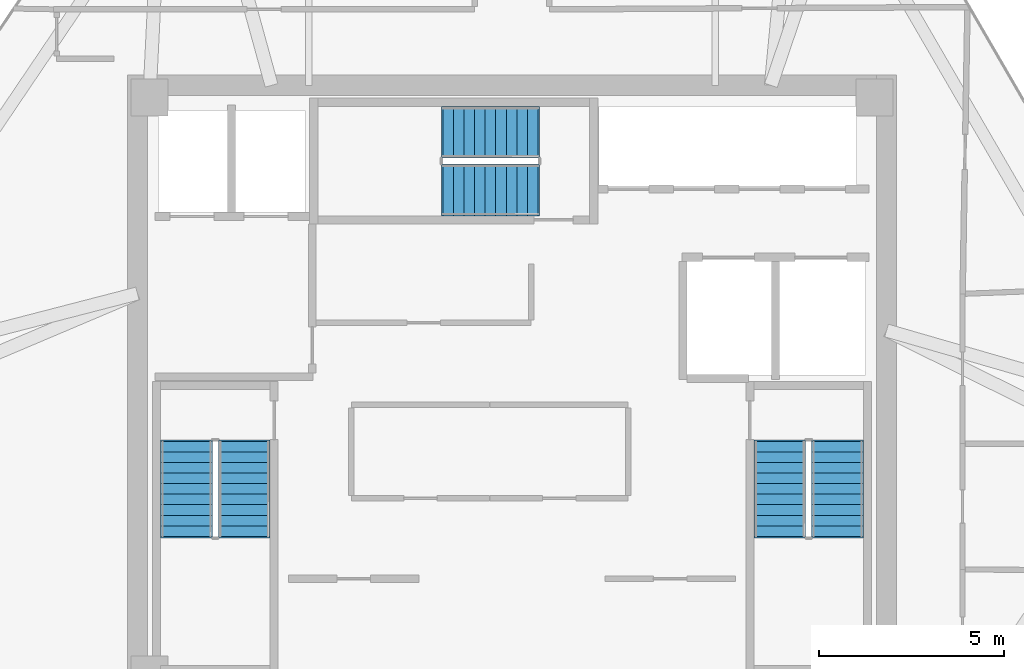
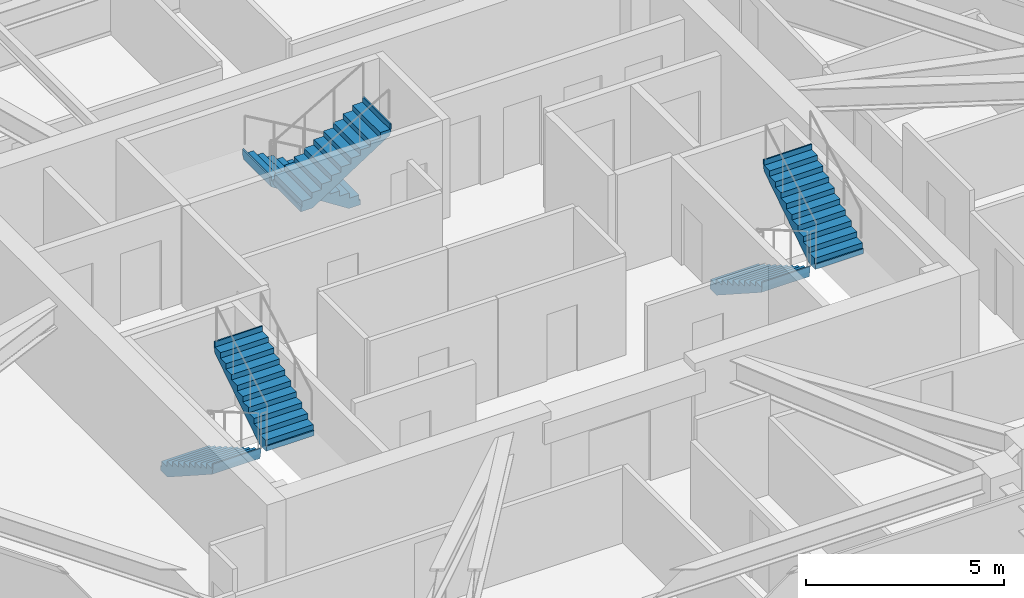
# One storey, part 10 of 11: 6 stair flights, 3 elements without a shape of their own.
"""IFC4 building model written with IfcOpenShell, lengths in metres."""

import ifcopenshell
import ifcopenshell.guid

model = None  # the IFC model being written
_history = None  # IfcOwnerHistory: only IFC2X3 demands one
_inside = {}  # id of a spatial element -> (the spatial element, [elements in it])
_under = {}  # id of a project, library or spatial element -> (it, [spatial elements below it])
_declared = {}  # id of a project -> (the project, [libraries it declares])
_typed = {}  # id of a type object -> (the type object, [elements of that type])
_made_of = {}  # id of a material, layer set ... -> (it, [elements and type objects made of it])


def new_model(schema):
    """Start an empty IFC model of exactly this schema.

    Asked for "IFC4X3", IfcOpenShell would pick the latest addendum, in which some entities
    have other attributes; the version numbers below select the first issue.
    IFC2X3 requires an IfcOwnerHistory on every rooted entity: one is made here for all.
    """
    global model, _history
    if schema == "IFC4X3":
        model = ifcopenshell.file(schema_version=(4, 3, 0, 0))
    else:
        model = ifcopenshell.file(schema=schema)
    _inside.clear()
    _under.clear()
    _declared.clear()
    _typed.clear()
    _made_of.clear()
    _history = None
    if model.schema == "IFC2X3":
        org = make("IfcOrganization", Name="unknown")
        user = make(
            "IfcPersonAndOrganization",
            ThePerson=make("IfcPerson", FamilyName="unknown"),
            TheOrganization=org,
        )
        app = make(
            "IfcApplication",
            ApplicationDeveloper=org,
            Version="unknown",
            ApplicationFullName="unknown",
            ApplicationIdentifier="unknown",
        )
        _history = make(
            "IfcOwnerHistory",
            OwningUser=user,
            OwningApplication=app,
            ChangeAction="ADDED",
            CreationDate=0,
        )
    return model


def make(cls, **values):
    """One entity of the class cls with the attributes given. An attribute that is None is left unset."""
    return model.create_entity(
        cls, **{name: value for name, value in values.items() if value is not None}
    )


def rooted(cls, **values):
    """An entity with a GlobalId (a new one), such as an element, a storey or a relation."""
    return make(cls, GlobalId=ifcopenshell.guid.new(), OwnerHistory=_history, **values)


def si_unit(unit_type, name, prefix=None):
    """IfcSIUnit, for example si_unit("LENGTHUNIT", "METRE", prefix="MILLI")."""
    return make("IfcSIUnit", UnitType=unit_type, Prefix=prefix, Name=name)


def assignment(units):
    """IfcUnitAssignment: the units of a project."""
    return None if units is None else make("IfcUnitAssignment", Units=units)


def point(xyz):
    """IfcCartesianPoint."""
    return None if xyz is None else make("IfcCartesianPoint", Coordinates=xyz)


def direction(xyz):
    """IfcDirection."""
    return None if xyz is None else make("IfcDirection", DirectionRatios=xyz)


def frame(location, z_axis=None, x_axis=None):
    """IfcAxis2Placement3D, a coordinate frame: its origin and axes. An axis left out is left unset."""
    return make(
        "IfcAxis2Placement3D",
        Location=point(location),
        Axis=direction(z_axis),
        RefDirection=direction(x_axis),
    )


def origin():
    """The frame at (0, 0, 0) with its axes left unset."""
    return frame((0.0, 0.0, 0.0))


def place(relative_to, where):
    """IfcLocalPlacement: puts the frame where relative to a parent placement (None: the world)."""
    return make(
        "IfcLocalPlacement", PlacementRelTo=relative_to, RelativePlacement=where
    )


def context(
    kind, dimensions, precision=None, world=None, true_north=None, identifier=None
):
    """IfcGeometricRepresentationContext, for example the 3D "Model" context."""
    return make(
        "IfcGeometricRepresentationContext",
        ContextIdentifier=identifier,
        ContextType=kind,
        CoordinateSpaceDimension=dimensions,
        Precision=precision,
        WorldCoordinateSystem=world,
        TrueNorth=true_north,
    )


def subcontext(parent, identifier, kind, view, scale=None):
    """IfcGeometricRepresentationSubContext, for example "Body" below "Model"."""
    return make(
        "IfcGeometricRepresentationSubContext",
        ContextIdentifier=identifier,
        ContextType=kind,
        ParentContext=parent,
        TargetScale=scale,
        TargetView=view,
    )


def project(units=None, contexts=None):
    """IfcProject with its units and contexts."""
    return rooted(
        "IfcProject",
        Name="project",
        RepresentationContexts=contexts,
        UnitsInContext=assignment(units),
    )


def spatial(cls, under=None, at=None, **own):
    """A site, building, storey or space (cls), placed at a placement, below another one or the project."""
    s = rooted(cls, ObjectPlacement=at, **own)
    if under is not None:
        _under.setdefault(under.id(), (under, []))[1].append(s)
    return s


def polyline(points):
    """IfcPolyline through the points."""
    return make("IfcPolyline", Points=[point(p) for p in points])


def outline(outer, holes=None, kind="AREA"):
    """IfcArbitraryClosedProfileDef: a profile drawn as a closed curve; with holes, ...WithVoids."""
    if holes is None:
        return make("IfcArbitraryClosedProfileDef", ProfileType=kind, OuterCurve=outer)
    return make(
        "IfcArbitraryProfileDefWithVoids",
        ProfileType=kind,
        OuterCurve=outer,
        InnerCurves=holes,
    )


def extrude(swept, where, along, depth):
    """IfcExtrudedAreaSolid: the profile swept, set in the frame where, extruded along a direction by depth."""
    return make(
        "IfcExtrudedAreaSolid",
        SweptArea=swept,
        Position=where,
        ExtrudedDirection=direction(along),
        Depth=depth,
    )


def shape(context_of_items, identifier, shape_type, items):
    """IfcShapeRepresentation: the items that make up one representation, for example the "Body"."""
    return make(
        "IfcShapeRepresentation",
        ContextOfItems=context_of_items,
        RepresentationIdentifier=identifier,
        RepresentationType=shape_type,
        Items=items,
    )


def material(Name=None, Category=None):
    """IfcMaterial."""
    return make("IfcMaterial", Name=Name, Category=Category)


def made_of(thing, what):
    """Note that an element or type object is made of a material, layer set ...; save() writes the relation."""
    if what is not None:
        _made_of.setdefault(what.id(), (what, []))[1].append(thing)
    return thing


def type_object(cls, material=None, **own):
    """A type object (cls), such as IfcWallType, which elements share."""
    return made_of(rooted(cls, **own), material)


def element(
    cls,
    number,
    at=None,
    inside=None,
    cuts=None,
    type_object=None,
    material=None,
    context=None,
    identifier="Body",
    shape_type=None,
    held_by="IfcProductDefinitionShape",
    body=None,
    shapes=None,
    **own,
):
    """One element of the class cls, such as IfcWall. Its Tag is "e" and its number.

    at: its placement. inside: the storey or other place that contains it. cuts: it is an
    opening in that element (IfcRelVoidsElement). A single representation is given by context,
    identifier, shape_type and body (its items); several are given by shapes. held_by: the class
    of the entity that holds the representations. save() writes the other relations.
    """
    e = rooted(cls, Tag="e%d" % number, ObjectPlacement=at, **own)
    if body is not None:
        shapes = [shape(context, identifier, shape_type, body)]
    if shapes is not None:
        e.Representation = make(held_by, Representations=shapes)
    if inside is not None:
        _inside.setdefault(inside.id(), (inside, []))[1].append(e)
    if cuts is not None:
        rooted(
            "IfcRelVoidsElement", RelatingBuildingElement=cuts, RelatedOpeningElement=e
        )
    if type_object is not None:
        _typed.setdefault(type_object.id(), (type_object, []))[1].append(e)
    return made_of(e, material)


def aggregate(whole, parts):
    """IfcRelAggregates: a whole, such as a stair, and the parts it consists of."""
    return rooted("IfcRelAggregates", RelatingObject=whole, RelatedObjects=parts)


def save(model, path):
    """Write the relations noted so far, then the file.

    IfcRelAggregates (storeys below a building ...), IfcRelContainedInSpatialStructure (elements
    in a storey), IfcRelDefinesByType, IfcRelAssociatesMaterial and IfcRelDeclares: one each for
    every whole, place, type object, material and project.
    """
    for whole, parts in _under.values():
        aggregate(whole, parts)
    for where, things in _inside.values():
        rooted(
            "IfcRelContainedInSpatialStructure",
            RelatedElements=things,
            RelatingStructure=where,
        )
    for kind, things in _typed.values():
        rooted("IfcRelDefinesByType", RelatedObjects=things, RelatingType=kind)
    for what, things in _made_of.values():
        rooted("IfcRelAssociatesMaterial", RelatedObjects=things, RelatingMaterial=what)
    for by, libraries in _declared.values():
        rooted("IfcRelDeclares", RelatingContext=by, RelatedDefinitions=libraries)
    model.write(path)


model = new_model("IFC4")

# Units and contexts
model_context = context("Model", 3, precision=1e-05, world=origin(), true_north=direction((0.0, 1.0)))
body_context = subcontext(model_context, "Body", "Model", "MODEL_VIEW")
ifc_project = project(units=[si_unit("LENGTHUNIT", "METRE"), si_unit("AREAUNIT", "SQUARE_METRE"), si_unit("VOLUMEUNIT", "CUBIC_METRE"), si_unit("PLANEANGLEUNIT", "RADIAN"), si_unit("MASSUNIT", "GRAM", prefix="KILO")], contexts=[model_context])

# Site, building, storey
site_placement = place(None, origin())
site = spatial("IfcSite", under=ifc_project, at=site_placement, CompositionType="ELEMENT")
building_placement = place(site_placement, origin())
building = spatial("IfcBuilding", under=site, at=building_placement, Name="Durnholm Broadcast Tower", CompositionType="ELEMENT")
storey_placement = place(building_placement, frame((0.0, 0.0, 224.89990234375)))
storey = spatial("IfcBuildingStorey", under=building, at=storey_placement, Name="L62", CompositionType="ELEMENT", Elevation=224.89990234375)

# Stair, stair flights
ifc_material = material(Name="Concrete C50/60", Category="concrete")
stair_type = type_object("IfcStairType", Name="STAIR-DL-20R1650", PredefinedType="HALF_TURN_STAIR", material=ifc_material)
stair_1_placement = place(storey_placement, origin())
stair_1 = element("IfcStair", 1, at=stair_1_placement, inside=storey, type_object=stair_type, Name="L62 ST-1", PredefinedType="HALF_TURN_STAIR")
stair_flight_type = type_object("IfcStairFlightType", Name="FLIGHT-DL-20R1650", PredefinedType="STRAIGHT", material=ifc_material)
stair_flight_1_placement = place(storey_placement, frame((-8.800048828125, -1.5, 0.0), z_axis=(0.0, 0.0, 1.0), x_axis=(0.0, -1.0, 0.0)))
stair_flight_1 = element("IfcStairFlight", 2, at=stair_flight_1_placement, type_object=stair_flight_type, Name="ST-1 flight 1", NumberOfRisers=10, NumberOfTreads=9, PredefinedType="STRAIGHT", RiserHeight=0.165, TreadLength=0.285, context=body_context, shape_type="SweptSolid", body=[
    extrude(outline(polyline([(-0.0400390625, -0.14990234375), (-0.0400390625, 0.0), (0.0, 0.0), (0.0, 0.1650390625), (0.284912109375, 0.1650390625), (0.284912109375, 0.330078125), (0.570068359375, 0.330078125), (0.570068359375, 0.4951171875), (0.85498046875, 0.4951171875), (0.85498046875, 0.659912109375), (1.139892578125, 0.659912109375), (1.139892578125, 0.824951171875), (1.425048828125, 0.824951171875), (1.425048828125, 0.989990234375), (1.7099609375, 0.989990234375), (1.7099609375, 1.155029296875), (1.9951171875, 1.155029296875), (1.9951171875, 1.320068359375), (2.280029296875, 1.320068359375), (2.280029296875, 1.485107421875), (2.56494140625, 1.485107421875), (2.56494140625, 1.64990234375), (2.60498046875, 1.64990234375), (2.60498046875, 1.5), (2.56494140625, 1.311767578125), (0.299072265625, -0.14990234375), (-0.0400390625, -0.14990234375)])), frame((0.0, 0.699951171875, 0.0), z_axis=(0.0, -1.0, 0.0), x_axis=(1.0, 0.0, 0.0)), (0.0, 0.0, 1.0), 1.39990234375),
])
stair_flight_2_placement = place(storey_placement, frame((-7.239990234375, -4.06494140625, 1.650146484375), z_axis=(0.0, 0.0, 1.0), x_axis=(0.0, 1.0, 0.0)))
stair_flight_2 = element("IfcStairFlight", 3, at=stair_flight_2_placement, type_object=stair_flight_type, Name="ST-1 flight 2", NumberOfRisers=10, NumberOfTreads=9, PredefinedType="STRAIGHT", RiserHeight=0.165, TreadLength=0.285, context=body_context, shape_type="SweptSolid", body=[
    extrude(outline(polyline([(-0.0400390625, -0.14990234375), (-0.0400390625, 0.0), (0.0, 0.0), (0.0, 0.1650390625), (0.284912109375, 0.1650390625), (0.284912109375, 0.330078125), (0.570068359375, 0.330078125), (0.570068359375, 0.4951171875), (0.85498046875, 0.4951171875), (0.85498046875, 0.659912109375), (1.139892578125, 0.659912109375), (1.139892578125, 0.824951171875), (1.425048828125, 0.824951171875), (1.425048828125, 0.989990234375), (1.7099609375, 0.989990234375), (1.7099609375, 1.155029296875), (1.9951171875, 1.155029296875), (1.9951171875, 1.320068359375), (2.280029296875, 1.320068359375), (2.280029296875, 1.485107421875), (2.56494140625, 1.485107421875), (2.56494140625, 1.64990234375), (2.60498046875, 1.64990234375), (2.60498046875, 1.5), (2.56494140625, 1.311767578125), (0.299072265625, -0.14990234375), (-0.0400390625, -0.14990234375)])), frame((0.0, 0.699951171875, 0.0), z_axis=(0.0, -1.0, 0.0), x_axis=(1.0, 0.0, 0.0)), (0.0, 0.0, 1.0), 1.39990234375),
])
aggregate(stair_1, [stair_flight_1, stair_flight_2])

stair_2_placement = place(storey_placement, origin())
stair_2 = element("IfcStair", 4, at=stair_2_placement, inside=storey, type_object=stair_type, Name="L62 ST-2", PredefinedType="HALF_TURN_STAIR")
stair_flight_3_placement = place(storey_placement, frame((7.239990234375, -1.5, 0.0), z_axis=(0.0, 0.0, 1.0), x_axis=(0.0, -1.0, 0.0)))
stair_flight_3 = element("IfcStairFlight", 5, at=stair_flight_3_placement, type_object=stair_flight_type, Name="ST-2 flight 1", NumberOfRisers=10, NumberOfTreads=9, PredefinedType="STRAIGHT", RiserHeight=0.165, TreadLength=0.285, context=body_context, shape_type="SweptSolid", body=[
    extrude(outline(polyline([(-0.0400390625, -0.14990234375), (-0.0400390625, 0.0), (0.0, 0.0), (0.0, 0.1650390625), (0.284912109375, 0.1650390625), (0.284912109375, 0.330078125), (0.570068359375, 0.330078125), (0.570068359375, 0.4951171875), (0.85498046875, 0.4951171875), (0.85498046875, 0.659912109375), (1.139892578125, 0.659912109375), (1.139892578125, 0.824951171875), (1.425048828125, 0.824951171875), (1.425048828125, 0.989990234375), (1.7099609375, 0.989990234375), (1.7099609375, 1.155029296875), (1.9951171875, 1.155029296875), (1.9951171875, 1.320068359375), (2.280029296875, 1.320068359375), (2.280029296875, 1.485107421875), (2.56494140625, 1.485107421875), (2.56494140625, 1.64990234375), (2.60498046875, 1.64990234375), (2.60498046875, 1.5), (2.56494140625, 1.311767578125), (0.299072265625, -0.14990234375), (-0.0400390625, -0.14990234375)])), frame((0.0, 0.699951171875, 0.0), z_axis=(0.0, -1.0, 0.0), x_axis=(1.0, 0.0, 0.0)), (0.0, 0.0, 1.0), 1.39990234375),
])
stair_flight_4_placement = place(storey_placement, frame((8.800048828125, -4.06494140625, 1.650146484375), z_axis=(0.0, 0.0, 1.0), x_axis=(0.0, 1.0, 0.0)))
stair_flight_4 = element("IfcStairFlight", 6, at=stair_flight_4_placement, type_object=stair_flight_type, Name="ST-2 flight 2", NumberOfRisers=10, NumberOfTreads=9, PredefinedType="STRAIGHT", RiserHeight=0.165, TreadLength=0.285, context=body_context, shape_type="SweptSolid", body=[
    extrude(outline(polyline([(-0.0400390625, -0.14990234375), (-0.0400390625, 0.0), (0.0, 0.0), (0.0, 0.1650390625), (0.284912109375, 0.1650390625), (0.284912109375, 0.330078125), (0.570068359375, 0.330078125), (0.570068359375, 0.4951171875), (0.85498046875, 0.4951171875), (0.85498046875, 0.659912109375), (1.139892578125, 0.659912109375), (1.139892578125, 0.824951171875), (1.425048828125, 0.824951171875), (1.425048828125, 0.989990234375), (1.7099609375, 0.989990234375), (1.7099609375, 1.155029296875), (1.9951171875, 1.155029296875), (1.9951171875, 1.320068359375), (2.280029296875, 1.320068359375), (2.280029296875, 1.485107421875), (2.56494140625, 1.485107421875), (2.56494140625, 1.64990234375), (2.60498046875, 1.64990234375), (2.60498046875, 1.5), (2.56494140625, 1.311767578125), (0.299072265625, -0.14990234375), (-0.0400390625, -0.14990234375)])), frame((0.0, 0.699951171875, 0.0), z_axis=(0.0, -1.0, 0.0), x_axis=(1.0, 0.0, 0.0)), (0.0, 0.0, 1.0), 1.39990234375),
])
aggregate(stair_2, [stair_flight_3, stair_flight_4])

stair_3_placement = place(storey_placement, origin())
stair_3 = element("IfcStair", 7, at=stair_3_placement, inside=storey, type_object=stair_type, Name="L62 ST-3", PredefinedType="HALF_TURN_STAIR")
stair_flight_5_placement = place(storey_placement, frame((0.699951171875, 6.860107421875, 0.0), z_axis=(0.0, 0.0, 1.0), x_axis=(-1.0, 0.0, 0.0)))
stair_flight_5 = element("IfcStairFlight", 8, at=stair_flight_5_placement, type_object=stair_flight_type, Name="ST-3 flight 1", NumberOfRisers=10, NumberOfTreads=9, PredefinedType="STRAIGHT", RiserHeight=0.165, TreadLength=0.285, context=body_context, shape_type="SweptSolid", body=[
    extrude(outline(polyline([(-0.0400390625, -0.14990234375), (-0.0400390625, 0.0), (0.0, 0.0), (0.0, 0.1650390625), (0.284912109375, 0.1650390625), (0.284912109375, 0.330078125), (0.570068359375, 0.330078125), (0.570068359375, 0.4951171875), (0.85498046875, 0.4951171875), (0.85498046875, 0.659912109375), (1.139892578125, 0.659912109375), (1.139892578125, 0.824951171875), (1.425048828125, 0.824951171875), (1.425048828125, 0.989990234375), (1.7099609375, 0.989990234375), (1.7099609375, 1.155029296875), (1.9951171875, 1.155029296875), (1.9951171875, 1.320068359375), (2.280029296875, 1.320068359375), (2.280029296875, 1.485107421875), (2.56494140625, 1.485107421875), (2.56494140625, 1.64990234375), (2.60498046875, 1.64990234375), (2.60498046875, 1.5), (2.56494140625, 1.311767578125), (0.299072265625, -0.14990234375), (-0.0400390625, -0.14990234375)])), frame((0.0, 0.699951171875, 0.0), z_axis=(0.0, -1.0, 0.0), x_axis=(1.0, 0.0, 0.0)), (0.0, 0.0, 1.0), 1.39990234375),
])
stair_flight_6_placement = place(storey_placement, frame((-1.864990234375, 5.300048828125, 1.650146484375), z_axis=(0.0, 0.0, 1.0), x_axis=(1.0, 0.0, 0.0)))
stair_flight_6 = element("IfcStairFlight", 9, at=stair_flight_6_placement, type_object=stair_flight_type, Name="ST-3 flight 2", NumberOfRisers=10, NumberOfTreads=9, PredefinedType="STRAIGHT", RiserHeight=0.165, TreadLength=0.285, context=body_context, shape_type="SweptSolid", body=[
    extrude(outline(polyline([(-0.0400390625, -0.14990234375), (-0.0400390625, 0.0), (0.0, 0.0), (0.0, 0.1650390625), (0.284912109375, 0.1650390625), (0.284912109375, 0.330078125), (0.570068359375, 0.330078125), (0.570068359375, 0.4951171875), (0.85498046875, 0.4951171875), (0.85498046875, 0.659912109375), (1.139892578125, 0.659912109375), (1.139892578125, 0.824951171875), (1.425048828125, 0.824951171875), (1.425048828125, 0.989990234375), (1.7099609375, 0.989990234375), (1.7099609375, 1.155029296875), (1.9951171875, 1.155029296875), (1.9951171875, 1.320068359375), (2.280029296875, 1.320068359375), (2.280029296875, 1.485107421875), (2.56494140625, 1.485107421875), (2.56494140625, 1.64990234375), (2.60498046875, 1.64990234375), (2.60498046875, 1.5), (2.56494140625, 1.311767578125), (0.299072265625, -0.14990234375), (-0.0400390625, -0.14990234375)])), frame((0.0, 0.699951171875, 0.0), z_axis=(0.0, -1.0, 0.0), x_axis=(1.0, 0.0, 0.0)), (0.0, 0.0, 1.0), 1.39990234375),
])
aggregate(stair_3, [stair_flight_5, stair_flight_6])

save(model, "model.ifc")
